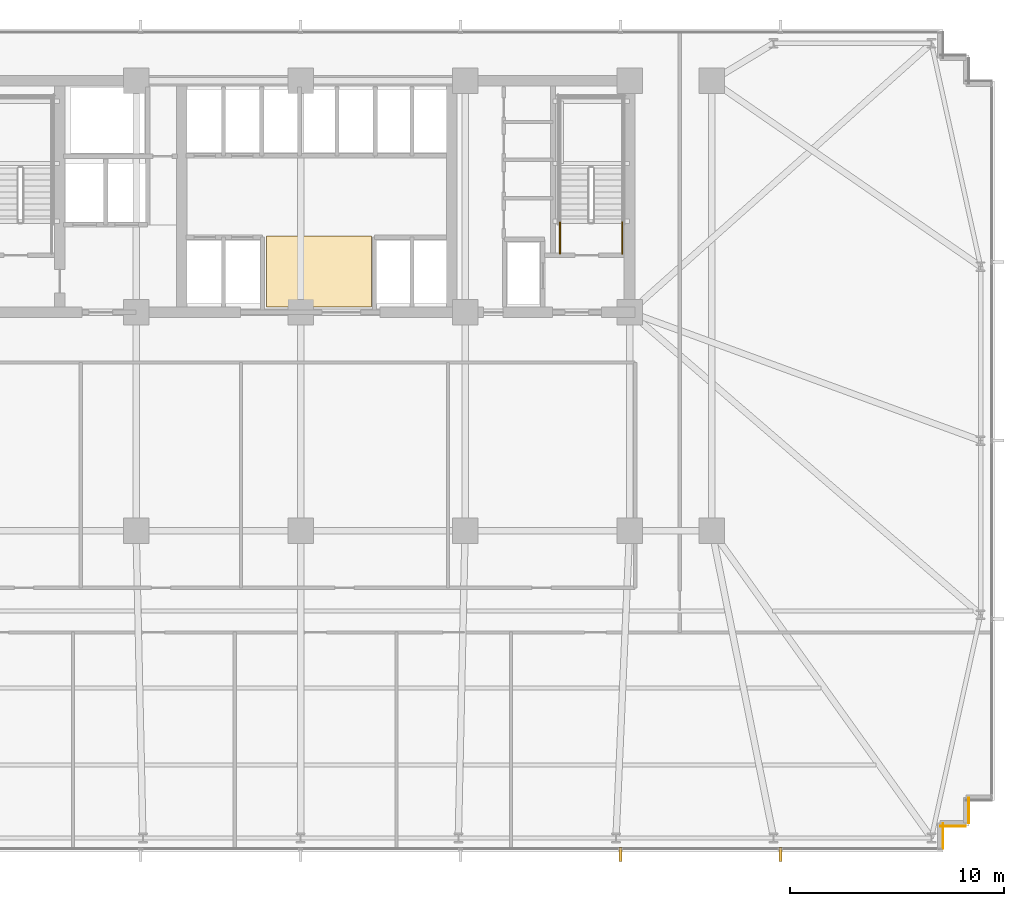
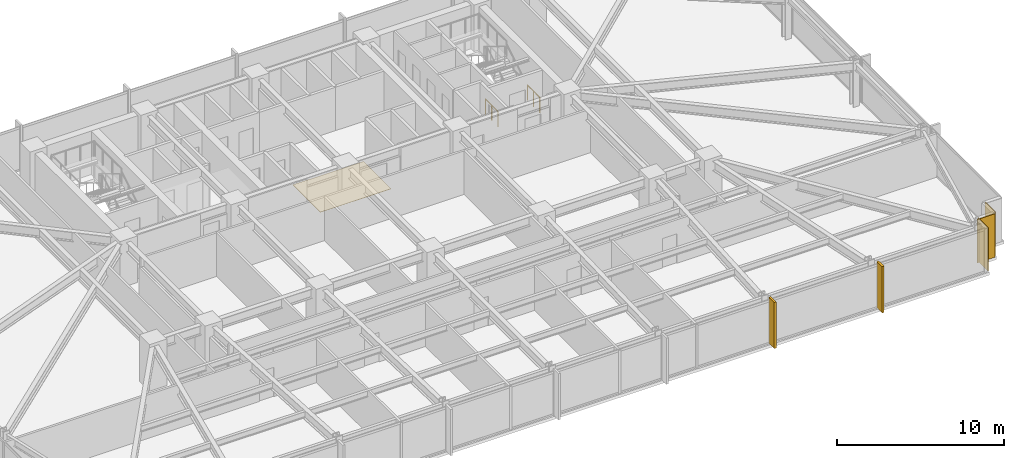
# One storey, part 29 of 33: 4 coverings, 2 railings, 2 shading devices.
"""IFC4 building model written with IfcOpenShell, lengths in metres."""

from ifc_helpers import new_model, si_unit, direction, frame, frame_2d, origin, origin_2d, place, context, subcontext, project, spatial, polyline, rectangle, circle, outline, extrude, material, layer, layer_set, type_object, element, save


model = new_model("IFC4")

# Units and contexts
model_context = context("Model", 3, precision=1e-05, world=origin(), true_north=direction((0.0, 1.0)))
body_context = subcontext(model_context, "Body", "Model", "MODEL_VIEW")
ifc_project = project(units=[si_unit("LENGTHUNIT", "METRE"), si_unit("AREAUNIT", "SQUARE_METRE"), si_unit("VOLUMEUNIT", "CUBIC_METRE"), si_unit("PLANEANGLEUNIT", "RADIAN"), si_unit("MASSUNIT", "GRAM", prefix="KILO")], contexts=[model_context])

# Site, building, storey
site_placement = place(None, origin())
site = spatial("IfcSite", under=ifc_project, at=site_placement, CompositionType="ELEMENT")
building_placement = place(site_placement, origin())
building = spatial("IfcBuilding", under=site, at=building_placement, Name="Yelkora Congress Tower", CompositionType="ELEMENT")
storey_placement = place(building_placement, frame((0.0, 0.0, 71.199951171875)))
storey = spatial("IfcBuildingStorey", under=building, at=storey_placement, Name="L18", CompositionType="ELEMENT", Elevation=71.199951171875)

# Coverings
ifc_material_1 = material(Name="Anatolian bush-hammered limestone", Category="masonry")
ifc_layer_1 = layer(ifc_material_1, 0.0400390625)
ifc_layer_set_1 = layer_set([ifc_layer_1], Name="Anatolian bush-hammered limestone")
covering_type_1 = type_object("IfcCoveringType", Name="COV-CLAD-SPANDREL-40", PredefinedType="CLADDING", material=ifc_layer_set_1)
for number, where, z_axis, x_axis, name in (
    (1, (69.594970703125, 12.739990234375, 0.0), (0.0, 0.0, 1.0), (0.0, -1.0, 0.0), "L18 Anatolian Limestone Cladding EW-L18-SR17"),
    (2, (69.4599609375, 11.405029296875, 0.0), (0.0, 0.0, 1.0), (-1.0, 0.0, 0.0), "L18 Anatolian Limestone Cladding EW-L18-SR18"),
    (3, (68.39501953125, 11.5400390625, 0.0), (0.0, 0.0, 1.0), (0.0, -1.0, 0.0), "L18 Anatolian Limestone Cladding EW-L18-SR19"),
):
    element("IfcCovering", number, at=place(storey_placement, frame(where, z_axis=z_axis, x_axis=x_axis)), inside=storey, type_object=covering_type_1, Name=name, PredefinedType="CLADDING", context=body_context, shape_type="SweptSolid", body=[
        extrude(rectangle(XDim=1.199951171875, YDim=0.0400390625, at=frame_2d((0.60009765625, 0.0))), origin(), (0.0, 0.0, 1.0), 3.179931640625),
    ])
ifc_material_2 = material(Name="Polished Anatolian grey granite tile", Category="masonry")
ifc_layer_2 = layer(ifc_material_2, 0.02001953125)
ifc_layer_set_2 = layer_set([ifc_layer_2], Name="Polished Anatolian grey granite tile")
covering_type_2 = type_object("IfcCoveringType", Name="COV-FLOOR-GRANITE-20", PredefinedType="FLOORING", material=ifc_layer_set_2)
covering_placement = place(storey_placement, origin())
element("IfcCovering", 4, at=covering_placement, inside=storey, type_object=covering_type_2, Name="L18 Lift Lobby Granite Flooring", PredefinedType="FLOORING", context=body_context, shape_type="SweptSolid", body=[
    extrude(outline(polyline([(36.800048828125, 35.64990234375), (41.699951171875, 35.64990234375), (41.699951171875, 38.949951171875), (36.800048828125, 38.949951171875), (36.800048828125, 35.64990234375)])), origin(), (0.0, 0.0, 1.0), 0.02001953125),
])

# Railings
ifc_material_3 = material(Name="Painted galvanised steel stair well guard with vertical infill", Category="steel")
ifc_layer_3 = layer(ifc_material_3, 0.06005859375)
ifc_layer_set_3 = layer_set([ifc_layer_3], Name="Painted galvanised steel stair well guard with vertical infill")
railing_type = type_object("IfcRailingType", Name="RAIL-STAIR-GUARD-1120", PredefinedType="GUARDRAIL", material=ifc_layer_set_3)
for number, where, name in (
    (5, (53.409912109375, 38.1201171875, 0.0), "ST-02 L18 Stair Well Guardrail 8"),
    (6, (50.510009765625, 38.1201171875, 0.0), "ST-02 L18 Stair Well Guardrail 9"),
):
    element("IfcRailing", number, at=place(storey_placement, frame(where)), inside=storey, type_object=railing_type, Name=name, PredefinedType="GUARDRAIL", context=body_context, shape_type="SweptSolid", body=[
        extrude(circle(Radius=0.02392578125, at=origin_2d()), frame((0.0, 0.0, 1.09619140625), z_axis=(0.0, 1.0, 0.0), x_axis=(-1.0, 0.0, 0.0)), (0.0, 0.0, 1.0), 1.47998046875),
        extrude(circle(Radius=0.02099609375, at=origin_2d()), origin(), (0.0, 0.0, 1.0), 1.072021484375),
        extrude(circle(Radius=0.02099609375, at=origin_2d()), frame((0.0, 0.739990234375, 0.0)), (0.0, 0.0, 1.0), 1.072021484375),
        extrude(circle(Radius=0.02099609375, at=origin_2d()), frame((0.0, 1.47998046875, 0.0)), (0.0, 0.0, 1.0), 1.072021484375),
    ])

# Shading devices
ifc_material_4 = material(Name="Champagne anodised aluminium", Category="aluminium")
ifc_layer_4 = layer(ifc_material_4, 3.39990234375)
ifc_layer_set_4 = layer_set([ifc_layer_4], Name="Champagne anodised aluminium")
shading_device_type = type_object("IfcShadingDeviceType", Name="SHD-FIN-ALU-640", PredefinedType="USERDEFINED", material=ifc_layer_set_4)
for number, where, z_axis, x_axis, name in (
    (7, (60.794921875, 10.080078125, -0.02978515625), (0.0, 0.0, 1.0), (-1.0, 0.0, 0.0), "L18 Vertical Anodised Solar Fin 20-1"),
    (8, (53.330078125, 10.080078125, -0.02978515625), (0.0, 0.0, 1.0), (-1.0, 0.0, 0.0), "L18 Vertical Anodised Solar Fin 20-2"),
):
    element("IfcShadingDevice", number, at=place(storey_placement, frame(where, z_axis=z_axis, x_axis=x_axis)), inside=storey, type_object=shading_device_type, Name=name, ObjectType="FIN", PredefinedType="USERDEFINED", context=body_context, shape_type="SweptSolid", body=[
        extrude(rectangle(XDim=0.139892578125, YDim=0.639892578125, at=origin_2d()), origin(), (0.0, 0.0, 1.0), 3.3798828125),
    ])

save(model, "model.ifc")
